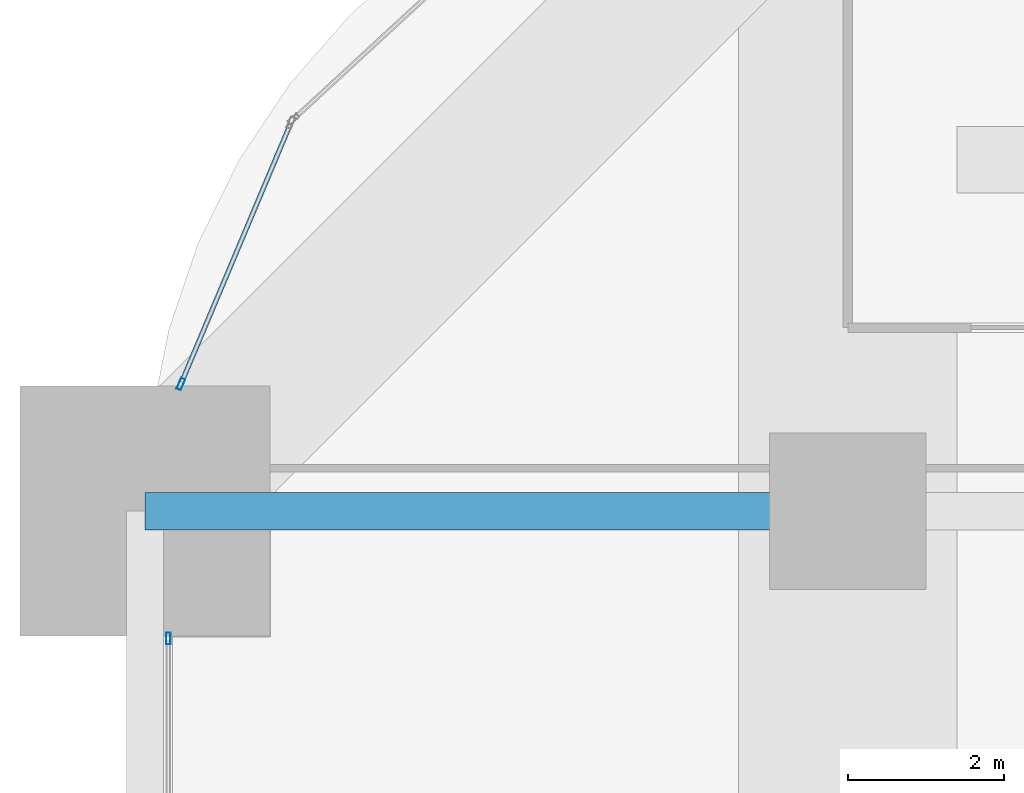
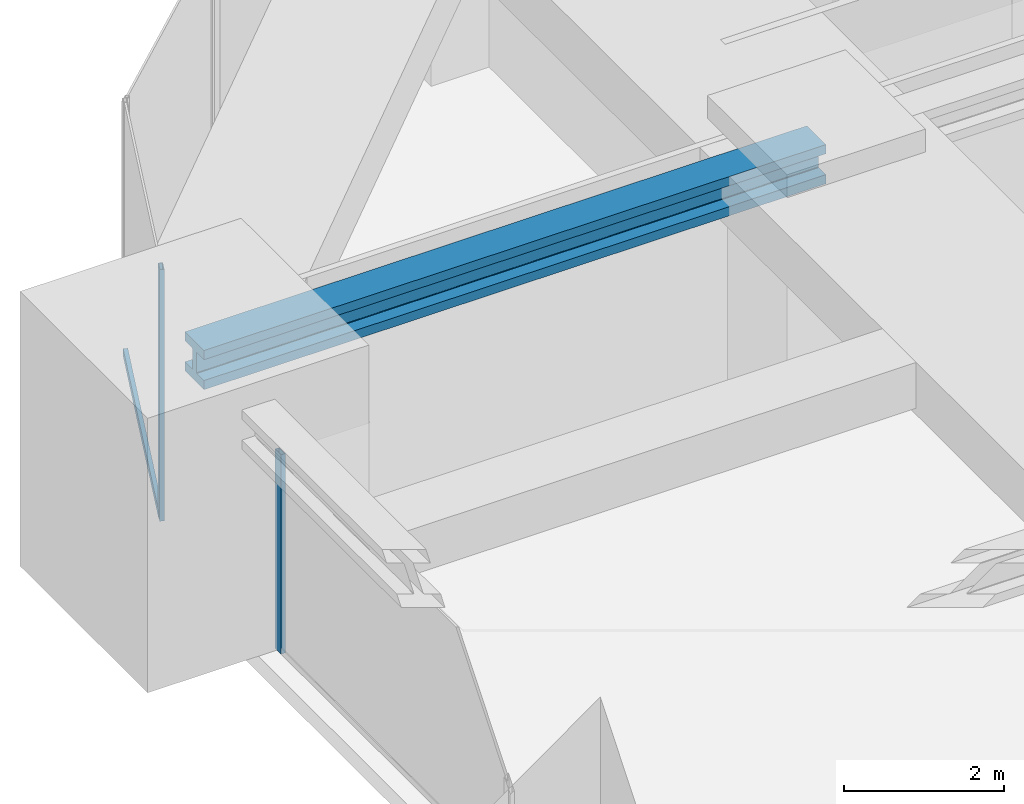
# One storey, part 27 of 45: 3 members, 1 beam, 2 elements without a shape of their own.
"""IFC4 building model written with IfcOpenShell, lengths in metres."""

from ifc_helpers import new_model, si_unit, direction, frame, origin, origin_2d, place, context, subcontext, project, spatial, hollow_rectangle, i_section, extrude, material, material_profile, profile_set, type_object, element, aggregate, save


model = new_model("IFC4")

# Units and contexts
model_context = context("Model", 3, precision=1e-05, world=origin(), true_north=direction((0.0, 1.0)))
body_context = subcontext(model_context, "Body", "Model", "MODEL_VIEW")
ifc_project = project(units=[si_unit("LENGTHUNIT", "METRE"), si_unit("AREAUNIT", "SQUARE_METRE"), si_unit("VOLUMEUNIT", "CUBIC_METRE"), si_unit("PLANEANGLEUNIT", "RADIAN"), si_unit("MASSUNIT", "GRAM", prefix="KILO")], contexts=[model_context])

# Site, building, storey
site_placement = place(None, origin())
site = spatial("IfcSite", under=ifc_project, at=site_placement, CompositionType="ELEMENT")
building_placement = place(site_placement, origin())
building = spatial("IfcBuilding", under=site, at=building_placement, Name="Zorevar Civic Tower", CompositionType="ELEMENT")
storey_placement = place(building_placement, frame((0.0, 0.0, 153.0)))
storey = spatial("IfcBuildingStorey", under=building, at=storey_placement, Name="L37", CompositionType="ELEMENT", Elevation=153.0)

# Curtain wall, member
ifc_material_1 = material(Name="Dark grey solar-control glass in black aluminium frame", Category="aluminium")
curtain_wall_type = type_object("IfcCurtainWallType", Name="Curtain wall CW3 mid zone", PredefinedType="NOTDEFINED", material=ifc_material_1)
curtain_wall_1_placement = place(storey_placement, origin())
curtain_wall_1 = element("IfcCurtainWall", 1, at=curtain_wall_1_placement, inside=storey, type_object=curtain_wall_type, Name="CW3 L37", PredefinedType="NOTDEFINED")
ifc_material_2 = material(Name="Aluminium, black anodised", Category="aluminium")
ifc_material_profile_1 = material_profile(ifc_material_2, hollow_rectangle(XDim=0.06005859375, YDim=0.14990234375, WallThickness=0.00390625, at=origin_2d()), Name="AL 150x60x4")
ifc_profile_set_1 = profile_set([ifc_material_profile_1], Name="Aluminium, black anodised")
member_type_1 = type_object("IfcMemberType", Name="CW3 mullion AL 150x60x4", PredefinedType="MULLION", material=ifc_profile_set_1)
member_1_placement = place(storey_placement, frame((0.300048828125, 34.3701171875, 0.0), z_axis=(0.0, 0.0, 1.0), x_axis=(-1.0, 0.0, 0.0)))
member_1 = element("IfcMember", 2, at=member_1_placement, type_object=member_type_1, Name="CW3 mullion 2", PredefinedType="MULLION", context=body_context, shape_type="SweptSolid", body=[
    extrude(hollow_rectangle(XDim=0.06005859375, YDim=0.14990234375, WallThickness=0.00390625, at=origin_2d()), origin(), (0.0, 0.0, 1.0), 3.050048828125),
])
aggregate(curtain_wall_1, [member_1])

# Curtain wall, members
curtain_wall_2_placement = place(storey_placement, origin())
curtain_wall_2 = element("IfcCurtainWall", 3, at=curtain_wall_2_placement, inside=storey, type_object=curtain_wall_type, Name="CW3 L37", PredefinedType="NOTDEFINED")
member_2_placement = place(storey_placement, frame((0.460205078125, 37.627685546875, 0.0), z_axis=(0.0, 0.0, 1.0), x_axis=(0.921581744025, -0.388184349349, 0.0)))
member_2 = element("IfcMember", 4, at=member_2_placement, type_object=member_type_1, Name="CW3 mullion 2", PredefinedType="MULLION", context=body_context, shape_type="SweptSolid", body=[
    extrude(hollow_rectangle(XDim=0.06005859375, YDim=0.14990234375, WallThickness=0.00390625, at=origin_2d()), origin(), (0.0, 0.0, 1.0), 3.85009765625),
])
ifc_material_3 = material(Name="Aluminium, black anodised", Category="aluminium")
ifc_material_profile_2 = material_profile(ifc_material_3, hollow_rectangle(XDim=0.06005859375, YDim=0.1201171875, WallThickness=0.0029296875, at=origin_2d()), Name="AL 120x60x3")
ifc_profile_set_2 = profile_set([ifc_material_profile_2], Name="Aluminium, black anodised")
member_type_2 = type_object("IfcMemberType", Name="CW3 transom AL 120x60x3", PredefinedType="USERDEFINED", material=ifc_profile_set_2)
member_3_placement = place(storey_placement, frame((1.857666015625, 40.945556640625, 0.030029296875), z_axis=(-0.388200676534, -0.921574866594, 0.0), x_axis=(0.921574866594, -0.388200676534, 0.0)))
member_3 = element("IfcMember", 5, at=member_3_placement, type_object=member_type_2, Name="CW3 sill transom", ObjectType="TRANSOM", PredefinedType="USERDEFINED", context=body_context, shape_type="SweptSolid", body=[
    extrude(hollow_rectangle(XDim=0.06005859375, YDim=0.1201171875, WallThickness=0.0029296875, at=origin_2d()), origin(), (0.0, 0.0, 1.0), 3.5703125),
])
aggregate(curtain_wall_2, [member_2, member_3])

# Beam
ifc_material_4 = material(Name="Steel S460M (HISTAR 460)", Category="steel")
ifc_material_profile_3 = material_profile(ifc_material_4, i_section(OverallWidth=0.47607421875, OverallDepth=0.60009765625, WebThickness=0.10009765625, FlangeThickness=0.139892578125, FilletRadius=0.014892578125, at=origin_2d()), Name="HD 400x1299")
ifc_profile_set_3 = profile_set([ifc_material_profile_3], Name="Steel S460M (HISTAR 460)")
beam_type = type_object("IfcBeamType", Name="Outrigger chord HD 400x1299", PredefinedType="BEAM", material=ifc_profile_set_3)
beam_placement = place(storey_placement, frame((0.0, 36.0, 3.550048828125), z_axis=(1.0, 0.0, 0.0), x_axis=(0.0, 1.0, 0.0)))
element("IfcBeam", 6, at=beam_placement, inside=storey, type_object=beam_type, Name="Outrigger chord L38", PredefinedType="BEAM", context=body_context, shape_type="SweptSolid", body=[
    extrude(i_section(OverallWidth=0.47607421875, OverallDepth=0.60009765625, WebThickness=0.10009765625, FlangeThickness=0.139892578125, FilletRadius=0.014892578125, at=origin_2d()), origin(), (0.0, 0.0, 1.0), 9.0),
])

save(model, "model.ifc")
